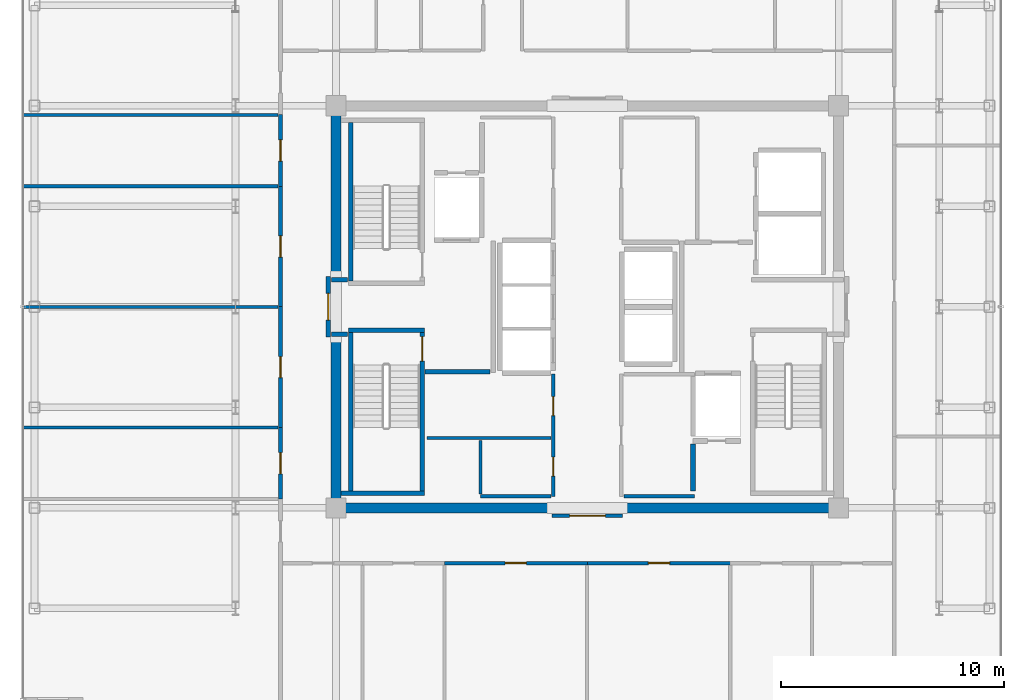
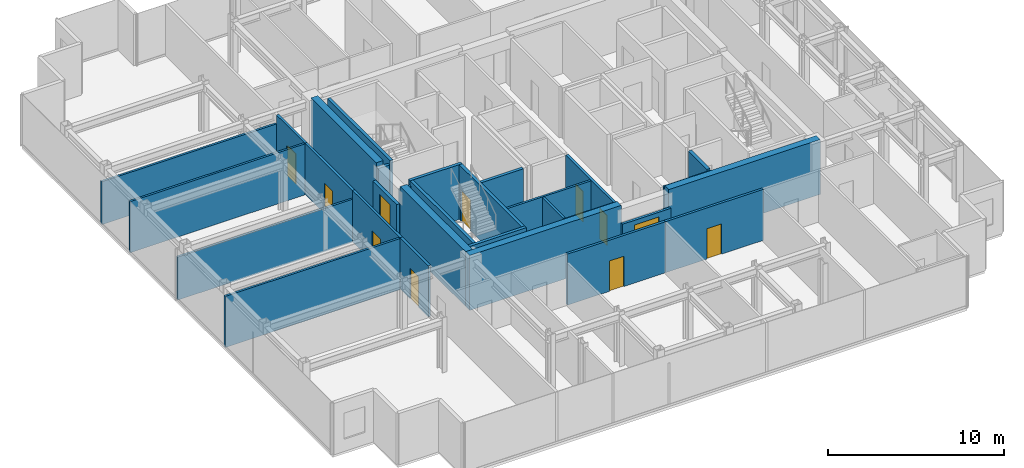
# One storey, part 13 of 18: 30 walls, 11 doors, 11 openings.
"""IFC4 building model written with IfcOpenShell, lengths in metres."""

from ifc_helpers import new_model, si_unit, direction, frame, frame_2d, origin, place, context, subcontext, project, spatial, rectangle, extrude, source, transform, mapped, material, layer, layer_set, type_object, element, fill, save


model = new_model("IFC4")

# Units and contexts
model_context = context("Model", 3, precision=1e-05, world=origin(), true_north=direction((0.0, 1.0)))
body_context = subcontext(model_context, "Body", "Model", "MODEL_VIEW")
ifc_project = project(units=[si_unit("LENGTHUNIT", "METRE"), si_unit("AREAUNIT", "SQUARE_METRE"), si_unit("VOLUMEUNIT", "CUBIC_METRE"), si_unit("PLANEANGLEUNIT", "RADIAN"), si_unit("MASSUNIT", "GRAM", prefix="KILO")], contexts=[model_context])

# Site, building, storey
site_placement = place(None, origin())
site = spatial("IfcSite", under=ifc_project, at=site_placement, CompositionType="ELEMENT")
building_placement = place(site_placement, origin())
building = spatial("IfcBuilding", under=site, at=building_placement, Name="Nefas-Gora Pilgrimage Tower", CompositionType="ELEMENT")
storey_placement = place(building_placement, frame((0.0, 0.0, 306.39990234375)))
storey = spatial("IfcBuildingStorey", under=building, at=storey_placement, Name="L77", CompositionType="ELEMENT", Elevation=306.39990234375)

# Walls
ifc_material_1 = material(Name="Concrete C50/60", Category="concrete")
ifc_layer_1 = layer(ifc_material_1, 0.449951171875)
ifc_layer_set_1 = layer_set([ifc_layer_1], Name="Concrete C50/60")
wall_type_1 = type_object("IfcWallType", Name="SW-CORE-450", PredefinedType="SHEAR", material=ifc_layer_set_1)
shared_shape_1 = source(origin(), body_context, "Body", "SweptSolid", [
    extrude(rectangle(XDim=9.925048828125, YDim=0.449951171875, at=frame_2d((4.96240234375, 0.0))), origin(), (0.0, 0.0, 1.0), 3.800048828125),
])
for number, where, z_axis, x_axis, name in (
    (1, (-11.47509765625, -9.0, 0.0), (0.0, 0.0, 1.0), (1.0, 0.0, 0.0), "L77 Core Shear Wall S-West"),
    (2, (1.550048828125, -9.0, 0.0), (0.0, 0.0, 1.0), (1.0, 0.0, 0.0), "L77 Core Shear Wall S-East"),
):
    element("IfcWall", number, at=place(storey_placement, frame(where, z_axis=z_axis, x_axis=x_axis)), inside=storey, type_object=wall_type_1, Name=name, PredefinedType="SHEAR", context=body_context, shape_type="MappedRepresentation", body=[
        mapped(shared_shape_1, transform((0.0, 0.0, 0.0), x_axis=(1.0, 0.0, 0.0), y_axis=(0.0, 1.0, 0.0), z_axis=(0.0, 0.0, 1.0), scale=1.0)),
    ])
shared_shape_2 = source(origin(), body_context, "Body", "SweptSolid", [
    extrude(rectangle(XDim=7.4248046875, YDim=0.449951171875, at=frame_2d((3.71240234375, 0.0))), origin(), (0.0, 0.0, 1.0), 3.800048828125),
])
for number, where, z_axis, x_axis, name in (
    (3, (-11.25, -8.77490234375, 0.0), (0.0, 0.0, 1.0), (0.0, 1.0, 0.0), "L77 Core Shear Wall W-South"),
    (4, (-11.25, 1.35009765625, 0.0), (0.0, 0.0, 1.0), (0.0, 1.0, 0.0), "L77 Core Shear Wall W-North"),
):
    element("IfcWall", number, at=place(storey_placement, frame(where, z_axis=z_axis, x_axis=x_axis)), inside=storey, type_object=wall_type_1, Name=name, PredefinedType="SHEAR", context=body_context, shape_type="MappedRepresentation", body=[
        mapped(shared_shape_2, transform((0.0, 0.0, 0.0), x_axis=(1.0, 0.0, 0.0), y_axis=(0.0, 1.0, 0.0), z_axis=(0.0, 0.0, 1.0), scale=1.0)),
    ])
ifc_material_2 = material(Name="Concrete C45/55", Category="concrete")
ifc_layer_2 = layer(ifc_material_2, 0.199951171875)
ifc_layer_set_2 = layer_set([ifc_layer_2], Name="Concrete C45/55")
wall_type_2 = type_object("IfcWallType", Name="IW-STAIR-200", PredefinedType="SOLIDWALL", material=ifc_layer_set_2)
shared_shape_3 = source(origin(), body_context, "Body", "SweptSolid", [
    extrude(rectangle(XDim=3.39990234375, YDim=0.199951171875, at=frame_2d((1.699951171875, 0.0))), origin(), (0.0, 0.0, 1.0), 3.800048828125),
])
wall_1_placement = place(storey_placement, frame((-10.699951171875, -1.050048828125, 0.0), z_axis=(0.0, 0.0, 1.0), x_axis=(1.0, 0.0, 0.0)))
element("IfcWall", 5, at=wall_1_placement, inside=storey, type_object=wall_type_2, Name="L77 Stairwell Shear Wall ST-03-near", PredefinedType="SOLIDWALL", context=body_context, shape_type="MappedRepresentation", body=[
    mapped(shared_shape_3, transform((0.0, 0.0, 0.0), x_axis=(1.0, 0.0, 0.0), y_axis=(0.0, 1.0, 0.0), z_axis=(0.0, 0.0, 1.0), scale=1.0)),
])
shared_shape_4 = source(origin(), body_context, "Body", "SweptSolid", [
    extrude(rectangle(XDim=7.10009765625, YDim=0.199951171875, at=frame_2d((3.550048828125, 0.0))), origin(), (0.0, 0.0, 1.0), 3.800048828125),
])
for number, where, z_axis, x_axis, name in (
    (6, (-10.60009765625, 1.14990234375, 0.0), (0.0, 0.0, 1.0), (0.0, 1.0, 0.0), "L77 Stairwell Shear Wall ST-01-right"),
    (7, (-10.60009765625, -1.14990234375, 0.0), (0.0, 0.0, 1.0), (0.0, -1.0, 0.0), "L77 Stairwell Shear Wall ST-03-left"),
):
    element("IfcWall", number, at=place(storey_placement, frame(where, z_axis=z_axis, x_axis=x_axis)), inside=storey, type_object=wall_type_2, Name=name, PredefinedType="SOLIDWALL", context=body_context, shape_type="MappedRepresentation", body=[
        mapped(shared_shape_4, transform((0.0, 0.0, 0.0), x_axis=(1.0, 0.0, 0.0), y_axis=(0.0, 1.0, 0.0), z_axis=(0.0, 0.0, 1.0), scale=1.0)),
    ])

# Wall, opening, door
wall_2_placement = place(storey_placement, frame((-7.39990234375, -1.14990234375, 0.0), z_axis=(0.0, 0.0, 1.0), x_axis=(0.0, -1.0, 0.0)))
wall_2 = element("IfcWall", 8, at=wall_2_placement, inside=storey, type_object=wall_type_2, Name="L77 Stairwell Shear Wall ST-03-right", PredefinedType="SOLIDWALL", context=body_context, shape_type="MappedRepresentation", body=[
    mapped(shared_shape_4, transform((0.0, 0.0, 0.0), x_axis=(1.0, 0.0, 0.0), y_axis=(0.0, 1.0, 0.0), z_axis=(0.0, 0.0, 1.0), scale=1.0)),
])
opening_1_placement = place(wall_2_placement, frame((0.179931640625, 0.0, 0.0)))
opening_1 = element("IfcOpeningElement", 9, at=opening_1_placement, cuts=wall_2, Name="Opening ID-ST1", PredefinedType="OPENING", context=body_context, shape_type="SweptSolid", body=[
    extrude(rectangle(XDim=1.10009765625, YDim=2.14990234375, at=frame_2d((0.550048828125, 1.074951171875))), frame((0.0, 0.10986328125, 0.0), z_axis=(0.0, -1.0, 0.0), x_axis=(1.0, 0.0, 0.0)), (0.0, 0.0, 1.0), 0.219970703125),
])
ifc_material_3 = material(Name="Painted galvanised steel fire stair door", Category="steel")
door_type_1 = type_object("IfcDoorType", Name="DR-INT-STAIR-1100", OperationType="NOTDEFINED", PredefinedType="DOOR", material=ifc_material_3)
shared_shape_5 = source(origin(), body_context, "Body", "SweptSolid", [
    extrude(rectangle(XDim=1.10009765625, YDim=2.14990234375, at=frame_2d((0.550048828125, 1.074951171875))), frame((0.0, 0.02490234375, 0.0), z_axis=(0.0, -1.0, 0.0), x_axis=(1.0, 0.0, 0.0)), (0.0, 0.0, 1.0), 0.050048828125),
])
door_1_placement = place(opening_1_placement, origin())
door_1 = element("IfcDoor", 10, at=door_1_placement, inside=storey, type_object=door_type_1, Name="L77 Protected Exit Stair Door ST-03", OperationType="SINGLE_SWING_LEFT", OverallHeight=2.14990234375, OverallWidth=1.10009765625, PredefinedType="DOOR", context=body_context, shape_type="MappedRepresentation", body=[
    mapped(shared_shape_5, transform((0.0, 0.0, 0.0), x_axis=(1.0, 0.0, 0.0), y_axis=(0.0, 1.0, 0.0), z_axis=(0.0, 0.0, 1.0), scale=1.0)),
])
fill(opening_1, door_1)

# Walls
shared_shape_6 = source(origin(), body_context, "Body", "SweptSolid", [
    extrude(rectangle(XDim=3.72998046875, YDim=0.199951171875, at=frame_2d((1.864990234375, 0.0))), origin(), (0.0, 0.0, 1.0), 3.800048828125),
])
wall_3_placement = place(storey_placement, frame((-11.030029296875, -8.35009765625, 0.0), z_axis=(0.0, 0.0, 1.0), x_axis=(1.0, 0.0, 0.0)))
element("IfcWall", 11, at=wall_3_placement, inside=storey, type_object=wall_type_2, Name="L77 Stairwell Shear Wall ST-03-far", PredefinedType="SOLIDWALL", context=body_context, shape_type="MappedRepresentation", body=[
    mapped(shared_shape_6, transform((0.0, 0.0, 0.0), x_axis=(1.0, 0.0, 0.0), y_axis=(0.0, 1.0, 0.0), z_axis=(0.0, 0.0, 1.0), scale=1.0)),
])
ifc_material_4 = material(Name="Gypsum fire-rated shaftwall")
ifc_layer_3 = layer(ifc_material_4, 0.199951171875)
ifc_layer_set_3 = layer_set([ifc_layer_3], Name="Gypsum fire-rated shaftwall")
wall_type_3 = type_object("IfcWallType", Name="IW-FFLOB-200", PredefinedType="PARTITIONING", material=ifc_layer_set_3)
shared_shape_7 = source(origin(), body_context, "Body", "SweptSolid", [
    extrude(rectangle(XDim=2.89990234375, YDim=0.199951171875, at=frame_2d((1.449951171875, 0.0))), origin(), (0.0, 0.0, 1.0), 3.53515625),
])
wall_4_placement = place(storey_placement, frame((-7.260009765625, -2.89990234375, 0.0), z_axis=(0.0, 0.0, 1.0), x_axis=(1.0, 0.0, 0.0)))
element("IfcWall", 12, at=wall_4_placement, inside=storey, type_object=wall_type_3, Name="L77 FF Lobby West South Wall Wall 7", PredefinedType="PARTITIONING", context=body_context, shape_type="MappedRepresentation", body=[
    mapped(shared_shape_7, transform((0.0, 0.0, 0.0), x_axis=(1.0, 0.0, 0.0), y_axis=(0.0, 1.0, 0.0), z_axis=(0.0, 0.0, 1.0), scale=1.0)),
])
shared_shape_8 = source(origin(), body_context, "Body", "SweptSolid", [
    extrude(rectangle(XDim=0.719970703125, YDim=0.199951171875, at=frame_2d((0.35986328125, 0.0))), origin(), (0.0, 0.0, 1.0), 3.53515625),
])
for number, where, z_axis, x_axis, name in (
    (13, (-11.4599609375, 1.219970703125, 0.0), (0.0, 0.0, 1.0), (1.0, 0.0, 0.0), "L77 FF Lobby West Throat N Wall 8"),
    (14, (-11.4599609375, -1.219970703125, 0.0), (0.0, 0.0, 1.0), (1.0, 0.0, 0.0), "L77 FF Lobby West Throat S Wall 9"),
):
    element("IfcWall", number, at=place(storey_placement, frame(where, z_axis=z_axis, x_axis=x_axis)), inside=storey, type_object=wall_type_3, Name=name, PredefinedType="PARTITIONING", context=body_context, shape_type="MappedRepresentation", body=[
        mapped(shared_shape_8, transform((0.0, 0.0, 0.0), x_axis=(1.0, 0.0, 0.0), y_axis=(0.0, 1.0, 0.0), z_axis=(0.0, 0.0, 1.0), scale=1.0)),
    ])
ifc_material_5 = material(Name="Gypsum twin-stud partition")
ifc_layer_4 = layer(ifc_material_5, 0.139892578125)
ifc_layer_set_4 = layer_set([ifc_layer_4], Name="Gypsum twin-stud partition")
wall_type_4 = type_object("IfcWallType", Name="IW-UNIT-140", PredefinedType="PARTITIONING", material=ifc_layer_set_4)
shared_shape_9 = source(origin(), body_context, "Body", "SweptSolid", [
    extrude(rectangle(XDim=3.150146484375, YDim=0.139892578125, at=frame_2d((1.5751953125, 0.0))), origin(), (0.0, 0.0, 1.0), 3.53515625),
])
for number, where, z_axis, x_axis, name in (
    (15, (-4.7900390625, -8.47998046875, 0.0), (0.0, 0.0, 1.0), (1.0, 0.0, 0.0), "L77 Freed Bank-2 West Supply Vault Partition Wall 29"),
    (16, (1.639892578125, -8.47998046875, 0.0), (0.0, 0.0, 1.0), (1.0, 0.0, 0.0), "L77 Freed Bank-2 East Linen Store Partition Wall 33"),
):
    element("IfcWall", number, at=place(storey_placement, frame(where, z_axis=z_axis, x_axis=x_axis)), inside=storey, type_object=wall_type_4, Name=name, PredefinedType="PARTITIONING", context=body_context, shape_type="MappedRepresentation", body=[
        mapped(shared_shape_9, transform((0.0, 0.0, 0.0), x_axis=(1.0, 0.0, 0.0), y_axis=(0.0, 1.0, 0.0), z_axis=(0.0, 0.0, 1.0), scale=1.0)),
    ])

# Wall, opening, door
ifc_material_6 = material(Name="Gypsum acoustic stud partition")
ifc_layer_5 = layer(ifc_material_6, 0.159912109375)
ifc_layer_set_5 = layer_set([ifc_layer_5], Name="Gypsum acoustic stud partition")
wall_type_5 = type_object("IfcWallType", Name="IW-CORR-160", PredefinedType="PARTITIONING", material=ifc_layer_set_5)
shared_shape_10 = source(origin(), body_context, "Body", "SweptSolid", [
    extrude(rectangle(XDim=3.2099609375, YDim=0.159912109375, at=frame_2d((1.60498046875, 0.0))), origin(), (0.0, 0.0, 1.0), 3.53515625),
])
wall_5_placement = place(storey_placement, frame((-13.739990234375, -8.60498046875, 0.0), z_axis=(0.0, 0.0, 1.0), x_axis=(0.0, 1.0, 0.0)))
wall_5 = element("IfcWall", 17, at=wall_5_placement, inside=storey, type_object=wall_type_5, Name="L77 Pastoral Chaplains Counselling Office Partition Wall 39", PredefinedType="PARTITIONING", context=body_context, shape_type="MappedRepresentation", body=[
    mapped(shared_shape_10, transform((0.0, 0.0, 0.0), x_axis=(1.0, 0.0, 0.0), y_axis=(0.0, 1.0, 0.0), z_axis=(0.0, 0.0, 1.0), scale=1.0)),
])
opening_2_placement = place(wall_5_placement, frame((1.1298828125, 0.0, 0.0)))
opening_2 = element("IfcOpeningElement", 18, at=opening_2_placement, cuts=wall_5, Name="Opening ID-GR1", PredefinedType="OPENING", context=body_context, shape_type="SweptSolid", body=[
    extrude(rectangle(XDim=0.949951171875, YDim=2.10009765625, at=frame_2d((0.47509765625, 1.050048828125))), frame((0.0, 0.08984375, 0.0), z_axis=(0.0, -1.0, 0.0), x_axis=(1.0, 0.0, 0.0)), (0.0, 0.0, 1.0), 0.179931640625),
])
ifc_material_7 = material(Name="Solid core oak fire-rated guest entrance door")
door_type_2 = type_object("IfcDoorType", Name="DR-INT-GUEST-950", OperationType="NOTDEFINED", PredefinedType="DOOR", material=ifc_material_7)
shared_shape_11 = source(origin(), body_context, "Body", "SweptSolid", [
    extrude(rectangle(XDim=0.949951171875, YDim=2.10009765625, at=frame_2d((0.47509765625, 1.050048828125))), frame((0.0, 0.02490234375, 0.0), z_axis=(0.0, -1.0, 0.0), x_axis=(1.0, 0.0, 0.0)), (0.0, 0.0, 1.0), 0.050048828125),
])
door_2_placement = place(opening_2_placement, origin())
door_2 = element("IfcDoor", 19, at=door_2_placement, inside=storey, type_object=door_type_2, Name="L77 Pastoral Chaplains Counselling Office Door 16", OperationType="SINGLE_SWING_RIGHT", OverallHeight=2.10009765625, OverallWidth=0.949951171875, PredefinedType="DOOR", context=body_context, shape_type="MappedRepresentation", body=[
    mapped(shared_shape_11, transform((0.0, 0.0, 0.0), x_axis=(1.0, 0.0, 0.0), y_axis=(0.0, 1.0, 0.0), z_axis=(0.0, 0.0, 1.0), scale=1.0)),
])
fill(opening_2, door_2)

wall_6_placement = place(storey_placement, frame((-13.739990234375, 5.39501953125, 0.0), z_axis=(0.0, 0.0, 1.0), x_axis=(0.0, 1.0, 0.0)))
wall_6 = element("IfcWall", 20, at=wall_6_placement, inside=storey, type_object=wall_type_5, Name="L77 Scripture Reading Study Partition Wall 45", PredefinedType="PARTITIONING", context=body_context, shape_type="MappedRepresentation", body=[
    mapped(shared_shape_10, transform((0.0, 0.0, 0.0), x_axis=(1.0, 0.0, 0.0), y_axis=(0.0, 1.0, 0.0), z_axis=(0.0, 0.0, 1.0), scale=1.0)),
])
opening_3_placement = place(wall_6_placement, frame((1.1298828125, 0.0, 0.0)))
opening_3 = element("IfcOpeningElement", 21, at=opening_3_placement, cuts=wall_6, Name="Opening ID-GR1", PredefinedType="OPENING", context=body_context, shape_type="SweptSolid", body=[
    extrude(rectangle(XDim=0.949951171875, YDim=2.10009765625, at=frame_2d((0.47509765625, 1.050048828125))), frame((0.0, 0.08984375, 0.0), z_axis=(0.0, -1.0, 0.0), x_axis=(1.0, 0.0, 0.0)), (0.0, 0.0, 1.0), 0.179931640625),
])
door_3_placement = place(opening_3_placement, origin())
door_3 = element("IfcDoor", 22, at=door_3_placement, inside=storey, type_object=door_type_2, Name="L77 Scripture Reading Study Door 19", OperationType="SINGLE_SWING_LEFT", OverallHeight=2.10009765625, OverallWidth=0.949951171875, PredefinedType="DOOR", context=body_context, shape_type="MappedRepresentation", body=[
    mapped(shared_shape_11, transform((0.0, 0.0, 0.0), x_axis=(1.0, 0.0, 0.0), y_axis=(0.0, 1.0, 0.0), z_axis=(0.0, 0.0, 1.0), scale=1.0)),
])
fill(opening_3, door_3)

shared_shape_12 = source(origin(), body_context, "Body", "SweptSolid", [
    extrude(rectangle(XDim=6.405029296875, YDim=0.159912109375, at=frame_2d((3.20263671875, 0.0))), origin(), (0.0, 0.0, 1.0), 3.53515625),
])
wall_7_placement = place(storey_placement, frame((-6.405029296875, -11.469970703125, 0.0), z_axis=(0.0, 0.0, 1.0), x_axis=(1.0, 0.0, 0.0)))
wall_7 = element("IfcWall", 23, at=wall_7_placement, inside=storey, type_object=wall_type_5, Name="L77 Pilgrim Contemplative Lounge Partition Wall 67", PredefinedType="PARTITIONING", context=body_context, shape_type="MappedRepresentation", body=[
    mapped(shared_shape_12, transform((0.0, 0.0, 0.0), x_axis=(1.0, 0.0, 0.0), y_axis=(0.0, 1.0, 0.0), z_axis=(0.0, 0.0, 1.0), scale=1.0)),
])
opening_4_placement = place(wall_7_placement, frame((2.7275390625, 0.0, 0.0)))
opening_4 = element("IfcOpeningElement", 24, at=opening_4_placement, cuts=wall_7, Name="Opening ID-GR1", PredefinedType="OPENING", context=body_context, shape_type="SweptSolid", body=[
    extrude(rectangle(XDim=0.949951171875, YDim=2.10009765625, at=frame_2d((0.47509765625, 1.050048828125))), frame((0.0, 0.08984375, 0.0), z_axis=(0.0, -1.0, 0.0), x_axis=(1.0, 0.0, 0.0)), (0.0, 0.0, 1.0), 0.179931640625),
])
door_4_placement = place(opening_4_placement, origin())
door_4 = element("IfcDoor", 25, at=door_4_placement, inside=storey, type_object=door_type_2, Name="L77 Pilgrim Contemplative Lounge Door 30", OperationType="SINGLE_SWING_RIGHT", OverallHeight=2.10009765625, OverallWidth=0.949951171875, PredefinedType="DOOR", context=body_context, shape_type="MappedRepresentation", body=[
    mapped(shared_shape_11, transform((0.0, 0.0, 0.0), x_axis=(1.0, 0.0, 0.0), y_axis=(0.0, 1.0, 0.0), z_axis=(0.0, 0.0, 1.0), scale=1.0)),
])
fill(opening_4, door_4)

wall_8_placement = place(storey_placement, frame((0.0, -11.469970703125, 0.0), z_axis=(0.0, 0.0, 1.0), x_axis=(1.0, 0.0, 0.0)))
wall_8 = element("IfcWall", 26, at=wall_8_placement, inside=storey, type_object=wall_type_5, Name="L77 Pilgrim Contemplative Lounge Partition Wall 69", PredefinedType="PARTITIONING", context=body_context, shape_type="MappedRepresentation", body=[
    mapped(shared_shape_12, transform((0.0, 0.0, 0.0), x_axis=(1.0, 0.0, 0.0), y_axis=(0.0, 1.0, 0.0), z_axis=(0.0, 0.0, 1.0), scale=1.0)),
])
opening_5_placement = place(wall_8_placement, frame((2.7275390625, 0.0, 0.0)))
opening_5 = element("IfcOpeningElement", 27, at=opening_5_placement, cuts=wall_8, Name="Opening ID-GR1", PredefinedType="OPENING", context=body_context, shape_type="SweptSolid", body=[
    extrude(rectangle(XDim=0.949951171875, YDim=2.10009765625, at=frame_2d((0.47509765625, 1.050048828125))), frame((0.0, 0.08984375, 0.0), z_axis=(0.0, -1.0, 0.0), x_axis=(1.0, 0.0, 0.0)), (0.0, 0.0, 1.0), 0.179931640625),
])
door_5_placement = place(opening_5_placement, origin())
door_5 = element("IfcDoor", 28, at=door_5_placement, inside=storey, type_object=door_type_2, Name="L77 Pilgrim Contemplative Lounge Door 31", OperationType="SINGLE_SWING_LEFT", OverallHeight=2.10009765625, OverallWidth=0.949951171875, PredefinedType="DOOR", context=body_context, shape_type="MappedRepresentation", body=[
    mapped(shared_shape_11, transform((0.0, 0.0, 0.0), x_axis=(1.0, 0.0, 0.0), y_axis=(0.0, 1.0, 0.0), z_axis=(0.0, 0.0, 1.0), scale=1.0)),
])
fill(opening_5, door_5)

# Walls
shared_shape_13 = source(origin(), body_context, "Body", "SweptSolid", [
    extrude(rectangle(XDim=11.429931640625, YDim=0.139892578125, at=frame_2d((5.71484375, 0.0))), origin(), (0.0, 0.0, 1.0), 3.53515625),
])
for number, where, z_axis, x_axis, name in (
    (29, (-25.2900390625, -5.405029296875, 0.0), (0.0, 0.0, 1.0), (1.0, 0.0, 0.0), "L77 Pastoral Chaplains Counselling Office Partition Wall 40"),
    (30, (-25.2900390625, 5.39501953125, 0.0), (0.0, 0.0, 1.0), (1.0, 0.0, 0.0), "L77 Pilgrim Floor Concierge Foyer Partition Wall 44"),
):
    element("IfcWall", number, at=place(storey_placement, frame(where, z_axis=z_axis, x_axis=x_axis)), inside=storey, type_object=wall_type_4, Name=name, PredefinedType="PARTITIONING", context=body_context, shape_type="MappedRepresentation", body=[
        mapped(shared_shape_13, transform((0.0, 0.0, 0.0), x_axis=(1.0, 0.0, 0.0), y_axis=(0.0, 1.0, 0.0), z_axis=(0.0, 0.0, 1.0), scale=1.0)),
    ])

# Wall, openings, doors
shared_shape_14 = source(origin(), body_context, "Body", "SweptSolid", [
    extrude(rectangle(XDim=5.47998046875, YDim=0.159912109375, at=frame_2d((2.739990234375, 0.0))), origin(), (0.0, 0.0, 1.0), 3.53515625),
])
wall_9_placement = place(storey_placement, frame((-1.52001953125, -8.489990234375, 0.0), z_axis=(0.0, 0.0, 1.0), x_axis=(0.0, 1.0, 0.0)))
wall_9 = element("IfcWall", 31, at=wall_9_placement, inside=storey, type_object=wall_type_5, Name="L77 Pilgrim Baggage and Gear Vault Wall 25", PredefinedType="PARTITIONING", context=body_context, shape_type="MappedRepresentation", body=[
    mapped(shared_shape_14, transform((0.0, 0.0, 0.0), x_axis=(1.0, 0.0, 0.0), y_axis=(0.0, 1.0, 0.0), z_axis=(0.0, 0.0, 1.0), scale=1.0)),
])
opening_6_placement = place(wall_9_placement, frame((0.907470703125, 0.0, 0.0)))
opening_6 = element("IfcOpeningElement", 32, at=opening_6_placement, cuts=wall_9, Name="Opening ID-BT1", PredefinedType="OPENING", context=body_context, shape_type="SweptSolid", body=[
    extrude(rectangle(XDim=0.85009765625, YDim=2.10009765625, at=frame_2d((0.425048828125, 1.050048828125))), frame((0.0, 0.08984375, 0.0), z_axis=(0.0, -1.0, 0.0), x_axis=(1.0, 0.0, 0.0)), (0.0, 0.0, 1.0), 0.179931640625),
])
opening_7_placement = place(wall_9_placement, frame((3.614990234375, 0.0, 0.0)))
opening_7 = element("IfcOpeningElement", 33, at=opening_7_placement, cuts=wall_9, Name="Opening ID-BT1", PredefinedType="OPENING", context=body_context, shape_type="SweptSolid", body=[
    extrude(rectangle(XDim=0.85009765625, YDim=2.10009765625, at=frame_2d((0.425048828125, 1.050048828125))), frame((0.0, 0.08984375, 0.0), z_axis=(0.0, -1.0, 0.0), x_axis=(1.0, 0.0, 0.0)), (0.0, 0.0, 1.0), 0.179931640625),
])
ifc_material_8 = material(Name="Moisture-resistant fire-rated timber door", Category="wood")
door_type_3 = type_object("IfcDoorType", Name="DR-INT-BATH-850", OperationType="NOTDEFINED", PredefinedType="DOOR", material=ifc_material_8)
shared_shape_15 = source(origin(), body_context, "Body", "SweptSolid", [
    extrude(rectangle(XDim=0.85009765625, YDim=2.10009765625, at=frame_2d((0.425048828125, 1.050048828125))), frame((0.0, 0.02490234375, 0.0), z_axis=(0.0, -1.0, 0.0), x_axis=(1.0, 0.0, 0.0)), (0.0, 0.0, 1.0), 0.050048828125),
])
door_6_placement = place(opening_6_placement, origin())
door_6 = element("IfcDoor", 34, at=door_6_placement, inside=storey, type_object=door_type_3, Name="L77 Freed Bank-2 West Supply Vault Door 10", OperationType="SINGLE_SWING_RIGHT", OverallHeight=2.10009765625, OverallWidth=0.85009765625, PredefinedType="DOOR", context=body_context, shape_type="MappedRepresentation", body=[
    mapped(shared_shape_15, transform((0.0, 0.0, 0.0), x_axis=(1.0, 0.0, 0.0), y_axis=(0.0, 1.0, 0.0), z_axis=(0.0, 0.0, 1.0), scale=1.0)),
])
fill(opening_6, door_6)
door_7_placement = place(opening_7_placement, origin())
door_7 = element("IfcDoor", 35, at=door_7_placement, inside=storey, type_object=door_type_3, Name="L77 Pilgrim Baggage and Gear Vault Door 11", OperationType="SINGLE_SWING_LEFT", OverallHeight=2.10009765625, OverallWidth=0.85009765625, PredefinedType="DOOR", context=body_context, shape_type="MappedRepresentation", body=[
    mapped(shared_shape_15, transform((0.0, 0.0, 0.0), x_axis=(1.0, 0.0, 0.0), y_axis=(0.0, 1.0, 0.0), z_axis=(0.0, 0.0, 1.0), scale=1.0)),
])
fill(opening_7, door_7)

# Wall, opening, door
shared_shape_16 = source(origin(), body_context, "Body", "SweptSolid", [
    extrude(rectangle(XDim=2.7001953125, YDim=0.199951171875, at=frame_2d((1.35009765625, 0.0))), origin(), (0.0, 0.0, 1.0), 2.625),
])
wall_10_placement = place(storey_placement, frame((-11.60009765625, -1.35009765625, 0.0), z_axis=(0.0, 0.0, 1.0), x_axis=(0.0, 1.0, 0.0)))
wall_10 = element("IfcWall", 36, at=wall_10_placement, inside=storey, type_object=wall_type_3, Name="L77 FF Lobby West Portal Wall 5", PredefinedType="PARTITIONING", context=body_context, shape_type="MappedRepresentation", body=[
    mapped(shared_shape_16, transform((0.0, 0.0, 0.0), x_axis=(1.0, 0.0, 0.0), y_axis=(0.0, 1.0, 0.0), z_axis=(0.0, 0.0, 1.0), scale=1.0)),
])
opening_8_placement = place(wall_10_placement, frame((0.75, 0.0, 0.0)))
opening_8 = element("IfcOpeningElement", 37, at=opening_8_placement, cuts=wall_10, Name="Opening ID-FF1", PredefinedType="OPENING", context=body_context, shape_type="SweptSolid", body=[
    extrude(rectangle(XDim=1.199951171875, YDim=2.14990234375, at=frame_2d((0.60009765625, 1.074951171875))), frame((0.0, 0.10986328125, 0.0), z_axis=(0.0, -1.0, 0.0), x_axis=(1.0, 0.0, 0.0)), (0.0, 0.0, 1.0), 0.219970703125),
])
ifc_material_9 = material(Name="Smoke-sealed steel firefighting lobby door", Category="steel")
door_type_4 = type_object("IfcDoorType", Name="DR-INT-FFLOB-1200", OperationType="NOTDEFINED", PredefinedType="DOOR", material=ifc_material_9)
shared_shape_17 = source(origin(), body_context, "Body", "SweptSolid", [
    extrude(rectangle(XDim=1.199951171875, YDim=2.14990234375, at=frame_2d((0.60009765625, 1.074951171875))), frame((0.0, 0.02490234375, 0.0), z_axis=(0.0, -1.0, 0.0), x_axis=(1.0, 0.0, 0.0)), (0.0, 0.0, 1.0), 0.050048828125),
])
door_8_placement = place(opening_8_placement, origin())
door_8 = element("IfcDoor", 38, at=door_8_placement, inside=storey, type_object=door_type_4, Name="L77 FF Lobby West Portal Door 3", OperationType="SINGLE_SWING_LEFT", OverallHeight=2.14990234375, OverallWidth=1.199951171875, PredefinedType="DOOR", context=body_context, shape_type="MappedRepresentation", body=[
    mapped(shared_shape_17, transform((0.0, 0.0, 0.0), x_axis=(1.0, 0.0, 0.0), y_axis=(0.0, 1.0, 0.0), z_axis=(0.0, 0.0, 1.0), scale=1.0)),
])
fill(opening_8, door_8)

shared_shape_18 = source(origin(), body_context, "Body", "SweptSolid", [
    extrude(rectangle(XDim=3.16015625, YDim=0.159912109375, at=frame_2d((1.580078125, 0.0))), origin(), (0.0, 0.0, 1.0), 2.625),
])
wall_11_placement = place(storey_placement, frame((-1.580078125, -9.35009765625, 0.0), z_axis=(0.0, 0.0, 1.0), x_axis=(1.0, 0.0, 0.0)))
wall_11 = element("IfcWall", 39, at=wall_11_placement, inside=storey, type_object=wall_type_5, Name="L77 Central Lift Lobby South Portal Wall 17", PredefinedType="PARTITIONING", context=body_context, shape_type="MappedRepresentation", body=[
    mapped(shared_shape_18, transform((0.0, 0.0, 0.0), x_axis=(1.0, 0.0, 0.0), y_axis=(0.0, 1.0, 0.0), z_axis=(0.0, 0.0, 1.0), scale=1.0)),
])
opening_9_placement = place(wall_11_placement, frame((0.780029296875, 0.0, 0.0)))
opening_9 = element("IfcOpeningElement", 40, at=opening_9_placement, cuts=wall_11, Name="Opening ID-HL1", PredefinedType="OPENING", context=body_context, shape_type="SweptSolid", body=[
    extrude(rectangle(XDim=1.60009765625, YDim=2.300048828125, at=frame_2d((0.800048828125, 1.14990234375))), frame((0.0, 0.08984375, 0.0), z_axis=(0.0, -1.0, 0.0), x_axis=(1.0, 0.0, 0.0)), (0.0, 0.0, 1.0), 0.179931640625),
])
ifc_material_10 = material(Name="Double acoustic timber assembly hall door", Category="wood")
door_type_5 = type_object("IfcDoorType", Name="DR-INT-HALL-1600", OperationType="DOUBLE_DOOR_SINGLE_SWING", PredefinedType="DOOR", material=ifc_material_10)
shared_shape_19 = source(origin(), body_context, "Body", "SweptSolid", [
    extrude(rectangle(XDim=1.60009765625, YDim=2.300048828125, at=frame_2d((0.800048828125, 1.14990234375))), frame((0.0, 0.02490234375, 0.0), z_axis=(0.0, -1.0, 0.0), x_axis=(1.0, 0.0, 0.0)), (0.0, 0.0, 1.0), 0.050048828125),
])
door_9_placement = place(opening_9_placement, origin())
door_9 = element("IfcDoor", 41, at=door_9_placement, inside=storey, type_object=door_type_5, Name="L77 Central Lift Lobby South Portal Door 7", OperationType="DOUBLE_DOOR_SINGLE_SWING", OverallHeight=2.300048828125, OverallWidth=1.60009765625, PredefinedType="DOOR", context=body_context, shape_type="MappedRepresentation", body=[
    mapped(shared_shape_19, transform((0.0, 0.0, 0.0), x_axis=(1.0, 0.0, 0.0), y_axis=(0.0, 1.0, 0.0), z_axis=(0.0, 0.0, 1.0), scale=1.0)),
])
fill(opening_9, door_9)

# Walls
ifc_material_11 = material(Name="Concrete C40/50", Category="concrete")
ifc_layer_6 = layer(ifc_material_11, 0.219970703125)
ifc_layer_set_6 = layer_set([ifc_layer_6], Name="Concrete C40/50")
wall_type_6 = type_object("IfcWallType", Name="IW-SHAFT-220", PredefinedType="SOLIDWALL", material=ifc_layer_set_6)
shared_shape_20 = source(origin(), body_context, "Body", "SweptSolid", [
    extrude(rectangle(XDim=2.10009765625, YDim=0.219970703125, at=frame_2d((1.050048828125, 0.0))), origin(), (0.0, 0.0, 1.0), 3.53515625),
])
wall_12_placement = place(storey_placement, frame((4.719970703125, -8.25, 0.0), z_axis=(0.0, 0.0, 1.0), x_axis=(0.0, 1.0, 0.0)))
element("IfcWall", 42, at=wall_12_placement, inside=storey, type_object=wall_type_6, Name="L77 Riser Shaft Wall 4", PredefinedType="SOLIDWALL", context=body_context, shape_type="MappedRepresentation", body=[
    mapped(shared_shape_20, transform((0.0, 0.0, 0.0), x_axis=(1.0, 0.0, 0.0), y_axis=(0.0, 1.0, 0.0), z_axis=(0.0, 0.0, 1.0), scale=1.0)),
])
shared_shape_21 = source(origin(), body_context, "Body", "SweptSolid", [
    extrude(rectangle(XDim=5.550048828125, YDim=0.139892578125, at=frame_2d((2.77490234375, 0.0))), origin(), (0.0, 0.0, 1.0), 3.53515625),
])
wall_13_placement = place(storey_placement, frame((-7.18994140625, -5.8798828125, 0.0), z_axis=(0.0, 0.0, 1.0), x_axis=(1.0, 0.0, 0.0)))
element("IfcWall", 43, at=wall_13_placement, inside=storey, type_object=wall_type_4, Name="L77 Pilgrim Baggage and Gear Vault Partition Wall 26", PredefinedType="PARTITIONING", context=body_context, shape_type="MappedRepresentation", body=[
    mapped(shared_shape_21, transform((0.0, 0.0, 0.0), x_axis=(1.0, 0.0, 0.0), y_axis=(0.0, 1.0, 0.0), z_axis=(0.0, 0.0, 1.0), scale=1.0)),
])
shared_shape_22 = source(origin(), body_context, "Body", "SweptSolid", [
    extrude(rectangle(XDim=2.380126953125, YDim=0.139892578125, at=frame_2d((1.18994140625, 0.0))), origin(), (0.0, 0.0, 1.0), 3.53515625),
])
wall_14_placement = place(storey_placement, frame((-4.780029296875, -8.3701171875, 0.0), z_axis=(0.0, 0.0, 1.0), x_axis=(0.0, 1.0, 0.0)))
element("IfcWall", 44, at=wall_14_placement, inside=storey, type_object=wall_type_4, Name="L77 Freed Bank-2 West Supply Vault Partition Wall 30", PredefinedType="PARTITIONING", context=body_context, shape_type="MappedRepresentation", body=[
    mapped(shared_shape_22, transform((0.0, 0.0, 0.0), x_axis=(1.0, 0.0, 0.0), y_axis=(0.0, 1.0, 0.0), z_axis=(0.0, 0.0, 1.0), scale=1.0)),
])
shared_shape_23 = source(origin(), body_context, "Body", "SweptSolid", [
    extrude(rectangle(XDim=11.429931640625, YDim=0.139892578125, at=frame_2d((5.71484375, 0.0))), origin(), (0.0, 0.0, 1.0), 2.97509765625),
])
for number, where, z_axis, x_axis, name in (
    (45, (-25.2900390625, -0.0048828125, 0.0), (0.0, 0.0, 1.0), (1.0, 0.0, 0.0), "L77 Pilgrim Floor Concierge Foyer Partition Wall 42"),
    (46, (-25.2900390625, 8.594970703125, 0.0), (0.0, 0.0, 1.0), (1.0, 0.0, 0.0), "L77 Scripture Reading Study Partition Wall 46"),
):
    element("IfcWall", number, at=place(storey_placement, frame(where, z_axis=z_axis, x_axis=x_axis)), inside=storey, type_object=wall_type_4, Name=name, PredefinedType="PARTITIONING", context=body_context, shape_type="MappedRepresentation", body=[
        mapped(shared_shape_23, transform((0.0, 0.0, 0.0), x_axis=(1.0, 0.0, 0.0), y_axis=(0.0, 1.0, 0.0), z_axis=(0.0, 0.0, 1.0), scale=1.0)),
    ])

# Wall, opening, door
shared_shape_24 = source(origin(), body_context, "Body", "SweptSolid", [
    extrude(rectangle(XDim=5.409912109375, YDim=0.159912109375, at=frame_2d((2.705078125, 0.0))), origin(), (0.0, 0.0, 1.0), 3.53515625),
])
wall_15_placement = place(storey_placement, frame((-13.739990234375, -5.405029296875, 0.0), z_axis=(0.0, 0.0, 1.0), x_axis=(0.0, 1.0, 0.0)))
wall_15 = element("IfcWall", 47, at=wall_15_placement, inside=storey, type_object=wall_type_5, Name="L77 Pilgrim Floor Concierge Foyer Partition Wall 41", PredefinedType="PARTITIONING", context=body_context, shape_type="MappedRepresentation", body=[
    mapped(shared_shape_24, transform((0.0, 0.0, 0.0), x_axis=(1.0, 0.0, 0.0), y_axis=(0.0, 1.0, 0.0), z_axis=(0.0, 0.0, 1.0), scale=1.0)),
])
opening_10_placement = place(wall_15_placement, frame((2.22998046875, 0.0, 0.0)))
opening_10 = element("IfcOpeningElement", 48, at=opening_10_placement, cuts=wall_15, Name="Opening ID-GR1", PredefinedType="OPENING", context=body_context, shape_type="SweptSolid", body=[
    extrude(rectangle(XDim=0.949951171875, YDim=2.10009765625, at=frame_2d((0.47509765625, 1.050048828125))), frame((0.0, 0.08984375, 0.0), z_axis=(0.0, -1.0, 0.0), x_axis=(1.0, 0.0, 0.0)), (0.0, 0.0, 1.0), 0.179931640625),
])
door_10_placement = place(opening_10_placement, origin())
door_10 = element("IfcDoor", 49, at=door_10_placement, inside=storey, type_object=door_type_2, Name="L77 Pilgrim Floor Concierge Foyer Door 17", OperationType="SINGLE_SWING_LEFT", OverallHeight=2.10009765625, OverallWidth=0.949951171875, PredefinedType="DOOR", context=body_context, shape_type="MappedRepresentation", body=[
    mapped(shared_shape_11, transform((0.0, 0.0, 0.0), x_axis=(1.0, 0.0, 0.0), y_axis=(0.0, 1.0, 0.0), z_axis=(0.0, 0.0, 1.0), scale=1.0)),
])
fill(opening_10, door_10)

wall_16_placement = place(storey_placement, frame((-13.739990234375, -0.0048828125, 0.0), z_axis=(0.0, 0.0, 1.0), x_axis=(0.0, 1.0, 0.0)))
wall_16 = element("IfcWall", 50, at=wall_16_placement, inside=storey, type_object=wall_type_5, Name="L77 Pilgrim Floor Concierge Foyer Partition Wall 43", PredefinedType="PARTITIONING", context=body_context, shape_type="MappedRepresentation", body=[
    mapped(shared_shape_24, transform((0.0, 0.0, 0.0), x_axis=(1.0, 0.0, 0.0), y_axis=(0.0, 1.0, 0.0), z_axis=(0.0, 0.0, 1.0), scale=1.0)),
])
opening_11_placement = place(wall_16_placement, frame((2.22998046875, 0.0, 0.0)))
opening_11 = element("IfcOpeningElement", 51, at=opening_11_placement, cuts=wall_16, Name="Opening ID-GR1", PredefinedType="OPENING", context=body_context, shape_type="SweptSolid", body=[
    extrude(rectangle(XDim=0.949951171875, YDim=2.10009765625, at=frame_2d((0.47509765625, 1.050048828125))), frame((0.0, 0.08984375, 0.0), z_axis=(0.0, -1.0, 0.0), x_axis=(1.0, 0.0, 0.0)), (0.0, 0.0, 1.0), 0.179931640625),
])
door_11_placement = place(opening_11_placement, origin())
door_11 = element("IfcDoor", 52, at=door_11_placement, inside=storey, type_object=door_type_2, Name="L77 Pilgrim Floor Concierge Foyer Door 18", OperationType="SINGLE_SWING_RIGHT", OverallHeight=2.10009765625, OverallWidth=0.949951171875, PredefinedType="DOOR", context=body_context, shape_type="MappedRepresentation", body=[
    mapped(shared_shape_11, transform((0.0, 0.0, 0.0), x_axis=(1.0, 0.0, 0.0), y_axis=(0.0, 1.0, 0.0), z_axis=(0.0, 0.0, 1.0), scale=1.0)),
])
fill(opening_11, door_11)

save(model, "model.ifc")
